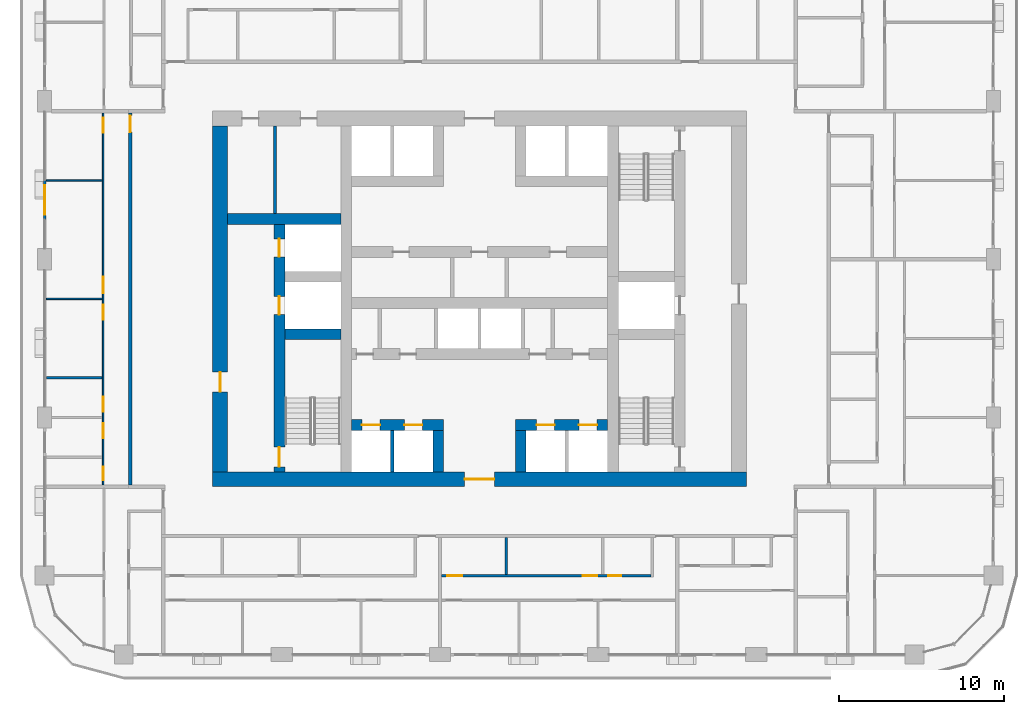
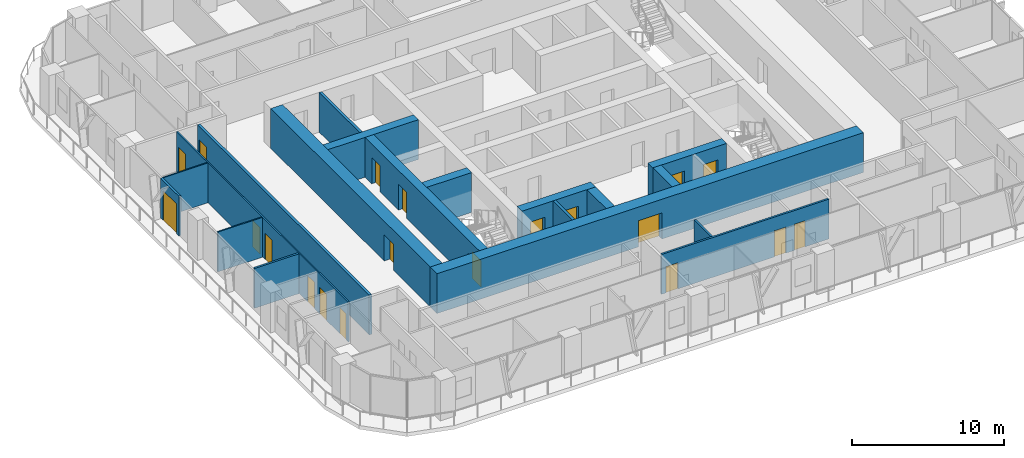
# One storey, part 10 of 21: 20 doors, 19 walls, 20 openings.
"""IFC4 building model written with IfcOpenShell, lengths in metres."""

from ifc_helpers import new_model, si_unit, direction, frame, frame_2d, origin, place, context, subcontext, project, spatial, rectangle, extrude, material, layer, layer_set, type_object, element, fill, save


model = new_model("IFC4")

# Units and contexts
model_context = context("Model", 3, precision=1e-05, world=origin(), true_north=direction((0.0, 1.0)))
body_context = subcontext(model_context, "Body", "Model", "MODEL_VIEW")
ifc_project = project(units=[si_unit("LENGTHUNIT", "METRE"), si_unit("AREAUNIT", "SQUARE_METRE"), si_unit("VOLUMEUNIT", "CUBIC_METRE"), si_unit("PLANEANGLEUNIT", "RADIAN"), si_unit("MASSUNIT", "GRAM", prefix="KILO")], contexts=[model_context])

# Site, building, storey
site_placement = place(None, origin())
site = spatial("IfcSite", under=ifc_project, at=site_placement, CompositionType="ELEMENT")
building_placement = place(site_placement, origin())
building = spatial("IfcBuilding", under=site, at=building_placement, Name="Madar Terraces", CompositionType="ELEMENT")
storey_placement = place(building_placement, frame((0.0, 0.0, 89.199951171875)))
storey = spatial("IfcBuildingStorey", under=building, at=storey_placement, Name="L22", CompositionType="ELEMENT", Elevation=89.199951171875)

# Wall, openings, doors
ifc_material_1 = material(Name="Concrete C80/95", Category="concrete")
ifc_layer_1 = layer(ifc_material_1, 0.64990234375)
ifc_layer_set_1 = layer_set([ifc_layer_1], Name="Concrete C80/95 (CIW2 RC wall 650)")
wall_type_1 = type_object("IfcWallType", Name="CIW2 RC wall 650", PredefinedType="SHEAR", material=ifc_layer_set_1)
wall_1_placement = place(storey_placement, frame((19.050048828125, 15.89990234375, 0.0), z_axis=(0.0, 0.0, 1.0), x_axis=(0.0, 1.0, 0.0)))
wall_1 = element("IfcWall", 1, at=wall_1_placement, inside=storey, type_object=wall_type_1, Name="CORE SHAFT WALL", PredefinedType="SHEAR", context=body_context, shape_type="SweptSolid", body=[
    extrude(rectangle(XDim=15.025146484375, YDim=0.64990234375, at=frame_2d((7.5126953125, 0.0))), origin(), (0.0, 0.0, 1.0), 3.199951171875),
])
opening_1_placement = place(wall_1_placement, frame((9.550048828125, 0.0, 0.0)))
opening_1 = element("IfcOpeningElement", 2, at=opening_1_placement, cuts=wall_1, Name="Opening LD", PredefinedType="OPENING", context=body_context, shape_type="SweptSolid", body=[
    extrude(rectangle(XDim=1.10009765625, YDim=2.10009765625, at=frame_2d((0.550048828125, 1.050048828125))), frame((0.0, 0.3349609375, 0.0), z_axis=(0.0, -1.0, 0.0), x_axis=(1.0, 0.0, 0.0)), (0.0, 0.0, 1.0), 0.669921875),
])
opening_2_placement = place(wall_1_placement, frame((13.050048828125, 0.0, 0.0)))
opening_2 = element("IfcOpeningElement", 3, at=opening_2_placement, cuts=wall_1, Name="Opening LD", PredefinedType="OPENING", context=body_context, shape_type="SweptSolid", body=[
    extrude(rectangle(XDim=1.10009765625, YDim=2.10009765625, at=frame_2d((0.550048828125, 1.050048828125))), frame((0.0, 0.3349609375, 0.0), z_axis=(0.0, -1.0, 0.0), x_axis=(1.0, 0.0, 0.0)), (0.0, 0.0, 1.0), 0.669921875),
])
opening_3_placement = place(wall_1_placement, frame((0.300048828125, 0.0, 0.0)))
opening_3 = element("IfcOpeningElement", 4, at=opening_3_placement, cuts=wall_1, Name="Opening SD1", PredefinedType="OPENING", context=body_context, shape_type="SweptSolid", body=[
    extrude(rectangle(XDim=1.199951171875, YDim=2.10009765625, at=frame_2d((0.60009765625, 1.050048828125))), frame((0.0, 0.3349609375, 0.0), z_axis=(0.0, -1.0, 0.0), x_axis=(1.0, 0.0, 0.0)), (0.0, 0.0, 1.0), 0.669921875),
])
ifc_material_2 = material(Name="Stainless steel panel", Category="steel")
door_type_1 = type_object("IfcDoorType", Name="Lift landing door 1100 x 2100", OperationType="DOUBLE_DOOR_SLIDING", PredefinedType="DOOR", material=ifc_material_2)
door_1_placement = place(opening_1_placement, origin())
door_1 = element("IfcDoor", 5, at=door_1_placement, inside=storey, type_object=door_type_1, Name="LIFT LANDING DOOR", OperationType="DOUBLE_DOOR_SLIDING", OverallHeight=2.10009765625, OverallWidth=1.10009765625, PredefinedType="DOOR", context=body_context, shape_type="SweptSolid", body=[
    extrude(rectangle(XDim=1.10009765625, YDim=2.10009765625, at=frame_2d((0.550048828125, 1.050048828125))), frame((0.0, 0.02490234375, 0.0), z_axis=(0.0, -1.0, 0.0), x_axis=(1.0, 0.0, 0.0)), (0.0, 0.0, 1.0), 0.050048828125),
])
fill(opening_1, door_1)
door_2_placement = place(opening_2_placement, origin())
door_2 = element("IfcDoor", 6, at=door_2_placement, inside=storey, type_object=door_type_1, Name="LIFT LANDING DOOR", OperationType="DOUBLE_DOOR_SLIDING", OverallHeight=2.10009765625, OverallWidth=1.10009765625, PredefinedType="DOOR", context=body_context, shape_type="SweptSolid", body=[
    extrude(rectangle(XDim=1.10009765625, YDim=2.10009765625, at=frame_2d((0.550048828125, 1.050048828125))), frame((0.0, 0.02490234375, 0.0), z_axis=(0.0, -1.0, 0.0), x_axis=(1.0, 0.0, 0.0)), (0.0, 0.0, 1.0), 0.050048828125),
])
fill(opening_2, door_2)
ifc_material_3 = material(Name="Steel door leaf", Category="steel")
door_type_2 = type_object("IfcDoorType", Name="Stair door 1200 x 2100", OperationType="NOTDEFINED", PredefinedType="DOOR", material=ifc_material_3)
door_3_placement = place(opening_3_placement, frame((1.199951171875, 0.0, 0.0), z_axis=(0.0, 0.0, 1.0), x_axis=(-1.0, 0.0, 0.0)))
door_3 = element("IfcDoor", 7, at=door_3_placement, inside=storey, type_object=door_type_2, Name="STAIR DOOR", OperationType="SINGLE_SWING_RIGHT", OverallHeight=2.10009765625, OverallWidth=1.199951171875, PredefinedType="DOOR", context=body_context, shape_type="SweptSolid", body=[
    extrude(rectangle(XDim=1.199951171875, YDim=2.10009765625, at=frame_2d((0.60009765625, 1.050048828125))), frame((0.0, 0.02490234375, 0.0), z_axis=(0.0, -1.0, 0.0), x_axis=(1.0, 0.0, 0.0)), (0.0, 0.0, 1.0), 0.050048828125),
])
fill(opening_3, door_3)

# Walls
wall_2_placement = place(storey_placement, frame((19.375, 24.25, 0.0), z_axis=(0.0, 0.0, 1.0), x_axis=(1.0, 0.0, 0.0)))
element("IfcWall", 8, at=wall_2_placement, inside=storey, type_object=wall_type_1, Name="CORE SHAFT WALL", PredefinedType="SHEAR", context=body_context, shape_type="SweptSolid", body=[
    extrude(rectangle(XDim=3.39990234375, YDim=0.64990234375, at=frame_2d((1.699951171875, 0.0))), origin(), (0.0, 0.0, 1.0), 3.199951171875),
])
wall_3_placement = place(storey_placement, frame((15.89990234375, 31.25, 0.0), z_axis=(0.0, 0.0, 1.0), x_axis=(1.0, 0.0, 0.0)))
element("IfcWall", 9, at=wall_3_placement, inside=storey, type_object=wall_type_1, Name="CORE SHAFT WALL", PredefinedType="SHEAR", context=body_context, shape_type="SweptSolid", body=[
    extrude(rectangle(XDim=6.875, YDim=0.64990234375, at=frame_2d((3.4375, 0.0))), origin(), (0.0, 0.0, 1.0), 3.199951171875),
])

# Wall, openings, doors
wall_4_placement = place(storey_placement, frame((23.425048828125, 18.75, 0.0), z_axis=(0.0, 0.0, 1.0), x_axis=(1.0, 0.0, 0.0)))
wall_4 = element("IfcWall", 10, at=wall_4_placement, inside=storey, type_object=wall_type_1, Name="CORE SHAFT WALL", PredefinedType="SHEAR", context=body_context, shape_type="SweptSolid", body=[
    extrude(rectangle(XDim=5.599853515625, YDim=0.64990234375, at=frame_2d((2.7998046875, 0.0))), origin(), (0.0, 0.0, 1.0), 3.199951171875),
])
opening_4_placement = place(wall_4_placement, frame((0.637451171875, 0.0, 0.0)))
opening_4 = element("IfcOpeningElement", 11, at=opening_4_placement, cuts=wall_4, Name="Opening LD", PredefinedType="OPENING", context=body_context, shape_type="SweptSolid", body=[
    extrude(rectangle(XDim=1.10009765625, YDim=2.10009765625, at=frame_2d((0.550048828125, 1.050048828125))), frame((0.0, 0.3349609375, 0.0), z_axis=(0.0, -1.0, 0.0), x_axis=(1.0, 0.0, 0.0)), (0.0, 0.0, 1.0), 0.669921875),
])
opening_5_placement = place(wall_4_placement, frame((3.21240234375, 0.0, 0.0)))
opening_5 = element("IfcOpeningElement", 12, at=opening_5_placement, cuts=wall_4, Name="Opening LD", PredefinedType="OPENING", context=body_context, shape_type="SweptSolid", body=[
    extrude(rectangle(XDim=1.10009765625, YDim=2.10009765625, at=frame_2d((0.550048828125, 1.050048828125))), frame((0.0, 0.3349609375, 0.0), z_axis=(0.0, -1.0, 0.0), x_axis=(1.0, 0.0, 0.0)), (0.0, 0.0, 1.0), 0.669921875),
])
door_4_placement = place(opening_4_placement, origin())
door_4 = element("IfcDoor", 13, at=door_4_placement, inside=storey, type_object=door_type_1, Name="LIFT LANDING DOOR", OperationType="DOUBLE_DOOR_SLIDING", OverallHeight=2.10009765625, OverallWidth=1.10009765625, PredefinedType="DOOR", context=body_context, shape_type="SweptSolid", body=[
    extrude(rectangle(XDim=1.10009765625, YDim=2.10009765625, at=frame_2d((0.550048828125, 1.050048828125))), frame((0.0, 0.02490234375, 0.0), z_axis=(0.0, -1.0, 0.0), x_axis=(1.0, 0.0, 0.0)), (0.0, 0.0, 1.0), 0.050048828125),
])
fill(opening_4, door_4)
door_5_placement = place(opening_5_placement, origin())
door_5 = element("IfcDoor", 14, at=door_5_placement, inside=storey, type_object=door_type_1, Name="LIFT LANDING DOOR", OperationType="DOUBLE_DOOR_SLIDING", OverallHeight=2.10009765625, OverallWidth=1.10009765625, PredefinedType="DOOR", context=body_context, shape_type="SweptSolid", body=[
    extrude(rectangle(XDim=1.10009765625, YDim=2.10009765625, at=frame_2d((0.550048828125, 1.050048828125))), frame((0.0, 0.02490234375, 0.0), z_axis=(0.0, -1.0, 0.0), x_axis=(1.0, 0.0, 0.0)), (0.0, 0.0, 1.0), 0.050048828125),
])
fill(opening_5, door_5)

wall_5_placement = place(storey_placement, frame((33.375, 18.75, 0.0), z_axis=(0.0, 0.0, 1.0), x_axis=(1.0, 0.0, 0.0)))
wall_5 = element("IfcWall", 15, at=wall_5_placement, inside=storey, type_object=wall_type_1, Name="CORE SHAFT WALL", PredefinedType="SHEAR", context=body_context, shape_type="SweptSolid", body=[
    extrude(rectangle(XDim=5.60009765625, YDim=0.64990234375, at=frame_2d((2.800048828125, 0.0))), origin(), (0.0, 0.0, 1.0), 3.199951171875),
])
opening_6_placement = place(wall_5_placement, frame((1.28759765625, 0.0, 0.0)))
opening_6 = element("IfcOpeningElement", 16, at=opening_6_placement, cuts=wall_5, Name="Opening LD", PredefinedType="OPENING", context=body_context, shape_type="SweptSolid", body=[
    extrude(rectangle(XDim=1.10009765625, YDim=2.10009765625, at=frame_2d((0.550048828125, 1.050048828125))), frame((0.0, 0.3349609375, 0.0), z_axis=(0.0, -1.0, 0.0), x_axis=(1.0, 0.0, 0.0)), (0.0, 0.0, 1.0), 0.669921875),
])
opening_7_placement = place(wall_5_placement, frame((3.862548828125, 0.0, 0.0)))
opening_7 = element("IfcOpeningElement", 17, at=opening_7_placement, cuts=wall_5, Name="Opening LD", PredefinedType="OPENING", context=body_context, shape_type="SweptSolid", body=[
    extrude(rectangle(XDim=1.10009765625, YDim=2.10009765625, at=frame_2d((0.550048828125, 1.050048828125))), frame((0.0, 0.3349609375, 0.0), z_axis=(0.0, -1.0, 0.0), x_axis=(1.0, 0.0, 0.0)), (0.0, 0.0, 1.0), 0.669921875),
])
door_6_placement = place(opening_6_placement, origin())
door_6 = element("IfcDoor", 18, at=door_6_placement, inside=storey, type_object=door_type_1, Name="LIFT LANDING DOOR", OperationType="DOUBLE_DOOR_SLIDING", OverallHeight=2.10009765625, OverallWidth=1.10009765625, PredefinedType="DOOR", context=body_context, shape_type="SweptSolid", body=[
    extrude(rectangle(XDim=1.10009765625, YDim=2.10009765625, at=frame_2d((0.550048828125, 1.050048828125))), frame((0.0, 0.02490234375, 0.0), z_axis=(0.0, -1.0, 0.0), x_axis=(1.0, 0.0, 0.0)), (0.0, 0.0, 1.0), 0.050048828125),
])
fill(opening_6, door_6)
door_7_placement = place(opening_7_placement, origin())
door_7 = element("IfcDoor", 19, at=door_7_placement, inside=storey, type_object=door_type_1, Name="LIFT LANDING DOOR", OperationType="DOUBLE_DOOR_SLIDING", OverallHeight=2.10009765625, OverallWidth=1.10009765625, PredefinedType="DOOR", context=body_context, shape_type="SweptSolid", body=[
    extrude(rectangle(XDim=1.10009765625, YDim=2.10009765625, at=frame_2d((0.550048828125, 1.050048828125))), frame((0.0, 0.02490234375, 0.0), z_axis=(0.0, -1.0, 0.0), x_axis=(1.0, 0.0, 0.0)), (0.0, 0.0, 1.0), 0.050048828125),
])
fill(opening_7, door_7)

# Walls
for number, where, z_axis, x_axis, name in (
    (20, (28.699951171875, 15.89990234375, 0.0), (0.0, 0.0, 1.0), (0.0, 1.0, 0.0), "CORE SHAFT WALL"),
    (21, (33.699951171875, 15.89990234375, 0.0), (0.0, 0.0, 1.0), (0.0, 1.0, 0.0), "CORE SHAFT WALL"),
):
    element("IfcWall", number, at=place(storey_placement, frame(where, z_axis=z_axis, x_axis=x_axis)), inside=storey, type_object=wall_type_1, Name=name, PredefinedType="SHEAR", context=body_context, shape_type="SweptSolid", body=[
        extrude(rectangle(XDim=2.525146484375, YDim=0.64990234375, at=frame_2d((1.2626953125, 0.0))), origin(), (0.0, 0.0, 1.0), 3.199951171875),
    ])

# Wall, opening, door
ifc_material_4 = material(Name="Concrete C80/95", Category="concrete")
ifc_layer_2 = layer(ifc_material_4, 0.89990234375)
ifc_layer_set_2 = layer_set([ifc_layer_2], Name="Concrete C80/95 (CRW2 RC wall 900)")
wall_type_2 = type_object("IfcWallType", Name="CRW2 RC wall 900", PredefinedType="SHEAR", material=ifc_layer_set_2)
wall_6_placement = place(storey_placement, frame((15.0, 15.449951171875, 0.0), z_axis=(0.0, 0.0, 1.0), x_axis=(1.0, 0.0, 0.0)))
wall_6 = element("IfcWall", 22, at=wall_6_placement, inside=storey, type_object=wall_type_2, Name="CORE OUTER WALL", PredefinedType="SHEAR", context=body_context, shape_type="SweptSolid", body=[
    extrude(rectangle(XDim=32.39990234375, YDim=0.89990234375, at=frame_2d((16.199951171875, 0.0))), origin(), (0.0, 0.0, 1.0), 3.199951171875),
])
opening_8_placement = place(wall_6_placement, frame((15.300048828125, 0.0, 0.0)))
opening_8 = element("IfcOpeningElement", 23, at=opening_8_placement, cuts=wall_6, Name="Opening KD1", PredefinedType="OPENING", context=body_context, shape_type="SweptSolid", body=[
    extrude(rectangle(XDim=1.800048828125, YDim=2.10009765625, at=frame_2d((0.89990234375, 1.050048828125))), frame((0.0, 0.4599609375, 0.0), z_axis=(0.0, -1.0, 0.0), x_axis=(1.0, 0.0, 0.0)), (0.0, 0.0, 1.0), 0.919921875),
])
ifc_material_5 = material(Name="Steel door leaf", Category="steel")
door_type_3 = type_object("IfcDoorType", Name="Lobby door pair 1800 x 2100", OperationType="DOUBLE_DOOR_SINGLE_SWING", PredefinedType="DOOR", material=ifc_material_5)
door_8_placement = place(opening_8_placement, frame((1.800048828125, 0.0, 0.0), z_axis=(0.0, 0.0, 1.0), x_axis=(-1.0, 0.0, 0.0)))
door_8 = element("IfcDoor", 24, at=door_8_placement, inside=storey, type_object=door_type_3, Name="LIFT LOBBY DOOR", OperationType="DOUBLE_DOOR_SINGLE_SWING", OverallHeight=2.10009765625, OverallWidth=1.800048828125, PredefinedType="DOOR", context=body_context, shape_type="SweptSolid", body=[
    extrude(rectangle(XDim=1.800048828125, YDim=2.10009765625, at=frame_2d((0.89990234375, 1.050048828125))), frame((0.0, 0.02490234375, 0.0), z_axis=(0.0, -1.0, 0.0), x_axis=(1.0, 0.0, 0.0)), (0.0, 0.0, 1.0), 0.050048828125),
])
fill(opening_8, door_8)

wall_7_placement = place(storey_placement, frame((15.449951171875, 15.89990234375, 0.0), z_axis=(0.0, 0.0, 1.0), x_axis=(0.0, 1.0, 0.0)))
wall_7 = element("IfcWall", 25, at=wall_7_placement, inside=storey, type_object=wall_type_2, Name="CORE OUTER WALL", PredefinedType="SHEAR", context=body_context, shape_type="SweptSolid", body=[
    extrude(rectangle(XDim=21.0, YDim=0.89990234375, at=frame_2d((10.5, 0.0))), origin(), (0.0, 0.0, 1.0), 3.199951171875),
])
opening_9_placement = place(wall_7_placement, frame((4.860107421875, 0.0, 0.0)))
opening_9 = element("IfcOpeningElement", 26, at=opening_9_placement, cuts=wall_7, Name="Opening SD1", PredefinedType="OPENING", context=body_context, shape_type="SweptSolid", body=[
    extrude(rectangle(XDim=1.199951171875, YDim=2.10009765625, at=frame_2d((0.60009765625, 1.050048828125))), frame((0.0, 0.4599609375, 0.0), z_axis=(0.0, -1.0, 0.0), x_axis=(1.0, 0.0, 0.0)), (0.0, 0.0, 1.0), 0.919921875),
])
door_9_placement = place(opening_9_placement, frame((1.199951171875, 0.0, 0.0), z_axis=(0.0, 0.0, 1.0), x_axis=(-1.0, 0.0, 0.0)))
door_9 = element("IfcDoor", 27, at=door_9_placement, inside=storey, type_object=door_type_2, Name="STAIR DOOR", OperationType="SINGLE_SWING_LEFT", OverallHeight=2.10009765625, OverallWidth=1.199951171875, PredefinedType="DOOR", context=body_context, shape_type="SweptSolid", body=[
    extrude(rectangle(XDim=1.199951171875, YDim=2.10009765625, at=frame_2d((0.60009765625, 1.050048828125))), frame((0.0, 0.02490234375, 0.0), z_axis=(0.0, -1.0, 0.0), x_axis=(1.0, 0.0, 0.0)), (0.0, 0.0, 1.0), 0.050048828125),
])
fill(opening_9, door_9)

# Walls
ifc_material_6 = material(Name="Masonry blockwork", Category="masonry")
ifc_layer_3 = layer(ifc_material_6, 0.199951171875)
ifc_layer_set_3 = layer_set([ifc_layer_3], Name="Core partition 200 blockwork")
wall_type_3 = type_object("IfcWallType", Name="Core partition 200 blockwork", PredefinedType="PARTITIONING", material=ifc_layer_set_3)
wall_8_placement = place(storey_placement, frame((18.78759765625, 31.574951171875, 0.0), z_axis=(0.0, 0.0, 1.0), x_axis=(0.0, 1.0, 0.0)))
element("IfcWall", 28, at=wall_8_placement, inside=storey, type_object=wall_type_3, Name="SERVICE ROOM PARTITION", PredefinedType="PARTITIONING", context=body_context, shape_type="SweptSolid", body=[
    extrude(rectangle(XDim=5.324951171875, YDim=0.199951171875, at=frame_2d((2.66259765625, 0.0))), origin(), (0.0, 0.0, 1.0), 3.199951171875),
])
ifc_material_7 = material(Name="Concrete C40/50", Category="concrete")
ifc_layer_4 = layer(ifc_material_7, 0.199951171875)
ifc_layer_set_4 = layer_set([ifc_layer_4], Name="Core shaft dividing wall 200 C40/50")
wall_type_4 = type_object("IfcWallType", Name="Core shaft dividing wall 200 C40/50", PredefinedType="SOLIDWALL", material=ifc_layer_set_4)
wall_9_placement = place(storey_placement, frame((25.89990234375, 15.89990234375, 0.0), z_axis=(0.0, 0.0, 1.0), x_axis=(0.0, 1.0, 0.0)))
element("IfcWall", 29, at=wall_9_placement, inside=storey, type_object=wall_type_4, Name="SHAFT DIVIDING WALL", PredefinedType="SOLIDWALL", context=body_context, shape_type="SweptSolid", body=[
    extrude(rectangle(XDim=2.525146484375, YDim=0.199951171875, at=frame_2d((1.2626953125, 0.0))), origin(), (0.0, 0.0, 1.0), 3.199951171875),
])

# Wall, opening, door
ifc_material_8 = material(Name="Aluminium composite panel, black, over insulated backing", Category="aluminium")
ifc_layer_5 = layer(ifc_material_8, 0.14990234375)
ifc_layer_set_5 = layer_set([ifc_layer_5], Name="Facade bay panel 150")
wall_type_5 = type_object("IfcWallType", Name="Facade bay panel 150", PredefinedType="SOLIDWALL", material=ifc_layer_set_5)
wall_10_placement = place(storey_placement, frame((4.800048828125, 33.60009765625, 0.0), z_axis=(0.0, 0.0, 1.0), x_axis=(0.0, -1.0, 0.0)))
wall_10 = element("IfcWall", 30, at=wall_10_placement, inside=storey, type_object=wall_type_5, Name="Facade bay panel", PredefinedType="SOLIDWALL", context=body_context, shape_type="SweptSolid", body=[
    extrude(rectangle(XDim=2.400146484375, YDim=0.14990234375, at=frame_2d((1.2001953125, 0.0))), origin(), (0.0, 0.0, 1.0), 3.199951171875),
])
opening_10_placement = place(wall_10_placement, frame((0.300048828125, 0.0, 0.0)))
opening_10 = element("IfcOpeningElement", 31, at=opening_10_placement, cuts=wall_10, Name="Opening ED1", PredefinedType="OPENING", context=body_context, shape_type="SweptSolid", body=[
    extrude(rectangle(XDim=1.800048828125, YDim=2.39990234375, at=frame_2d((0.89990234375, 1.199951171875))), frame((0.0, 0.0849609375, 0.0), z_axis=(0.0, -1.0, 0.0), x_axis=(1.0, 0.0, 0.0)), (0.0, 0.0, 1.0), 0.169921875),
])
ifc_material_9 = material(Name="Glass, clear, with black aluminium frame", Category="aluminium")
door_type_4 = type_object("IfcDoorType", Name="Balcony and terrace sliding door 1800 x 2400", OperationType="SLIDING_TO_LEFT", PredefinedType="DOOR", material=ifc_material_9)
door_10_placement = place(opening_10_placement, origin())
door_10 = element("IfcDoor", 32, at=door_10_placement, inside=storey, type_object=door_type_4, Name="Balcony door", OperationType="SLIDING_TO_LEFT", OverallHeight=2.39990234375, OverallWidth=1.800048828125, PredefinedType="DOOR", context=body_context, shape_type="SweptSolid", body=[
    extrude(rectangle(XDim=1.800048828125, YDim=2.39990234375, at=frame_2d((0.89990234375, 1.199951171875))), frame((0.0, 0.02490234375, 0.0), z_axis=(0.0, -1.0, 0.0), x_axis=(1.0, 0.0, 0.0)), (0.0, 0.0, 1.0), 0.050048828125),
])
fill(opening_10, door_10)

# Walls
ifc_material_10 = material(Name="Gypsum board on steel studs", Category="steel")
ifc_layer_6 = layer(ifc_material_10, 0.10009765625)
ifc_layer_set_6 = layer_set([ifc_layer_6], Name="Flat partition 100")
wall_type_6 = type_object("IfcWallType", Name="Flat partition 100", PredefinedType="PARTITIONING", material=ifc_layer_set_6)
for number, where, z_axis, x_axis, name in (
    (33, (8.300048828125, 33.60009765625, 0.0), (0.0, 0.0, 1.0), (-1.0, 0.0, 0.0), "Flat partition 100"),
    (34, (8.300048828125, 26.39990234375, 0.0), (0.0, 0.0, 1.0), (-1.0, 0.0, 0.0), "Flat partition 100"),
):
    element("IfcWall", number, at=place(storey_placement, frame(where, z_axis=z_axis, x_axis=x_axis)), inside=storey, type_object=wall_type_6, Name=name, PredefinedType="PARTITIONING", context=body_context, shape_type="SweptSolid", body=[
        extrude(rectangle(XDim=3.400146484375, YDim=0.10009765625, at=frame_2d((1.7001953125, 0.0))), origin(), (0.0, 0.0, 1.0), 3.199951171875),
    ])

# Wall, openings, doors
wall_11_placement = place(storey_placement, frame((8.35009765625, 15.10009765625, 0.0), z_axis=(0.0, 0.0, 1.0), x_axis=(0.0, 1.0, 0.0)))
wall_11 = element("IfcWall", 35, at=wall_11_placement, inside=storey, type_object=wall_type_6, Name="Flat partition 100", PredefinedType="PARTITIONING", context=body_context, shape_type="SweptSolid", body=[
    extrude(rectangle(XDim=22.599853515625, YDim=0.10009765625, at=frame_2d((11.2998046875, 0.0))), origin(), (0.0, 0.0, 1.0), 3.199951171875),
])
opening_11_placement = place(wall_11_placement, frame((21.39990234375, 0.0, 0.0)))
opening_11 = element("IfcOpeningElement", 36, at=opening_11_placement, cuts=wall_11, Name="Opening D2", PredefinedType="OPENING", context=body_context, shape_type="SweptSolid", body=[
    extrude(rectangle(XDim=0.89990234375, YDim=2.10009765625, at=frame_2d((0.449951171875, 1.050048828125))), frame((0.0, 0.06005859375, 0.0), z_axis=(0.0, -1.0, 0.0), x_axis=(1.0, 0.0, 0.0)), (0.0, 0.0, 1.0), 0.1201171875),
])
opening_12_placement = place(wall_11_placement, frame((11.64990234375, 0.0, 0.0)))
opening_12 = element("IfcOpeningElement", 37, at=opening_12_placement, cuts=wall_11, Name="Opening D3", PredefinedType="OPENING", context=body_context, shape_type="SweptSolid", body=[
    extrude(rectangle(XDim=1.0, YDim=2.10009765625, at=frame_2d((0.5, 1.050048828125))), frame((0.0, 0.06005859375, 0.0), z_axis=(0.0, -1.0, 0.0), x_axis=(1.0, 0.0, 0.0)), (0.0, 0.0, 1.0), 0.1201171875),
])
opening_13_placement = place(wall_11_placement, frame((10.050048828125, 0.0, 0.0)))
opening_13 = element("IfcOpeningElement", 38, at=opening_13_placement, cuts=wall_11, Name="Opening D2", PredefinedType="OPENING", context=body_context, shape_type="SweptSolid", body=[
    extrude(rectangle(XDim=0.89990234375, YDim=2.10009765625, at=frame_2d((0.449951171875, 1.050048828125))), frame((0.0, 0.06005859375, 0.0), z_axis=(0.0, -1.0, 0.0), x_axis=(1.0, 0.0, 0.0)), (0.0, 0.0, 1.0), 0.1201171875),
])
opening_14_placement = place(wall_11_placement, frame((4.449951171875, 0.0, 0.0)))
opening_14 = element("IfcOpeningElement", 39, at=opening_14_placement, cuts=wall_11, Name="Opening D5", PredefinedType="OPENING", context=body_context, shape_type="SweptSolid", body=[
    extrude(rectangle(XDim=0.89990234375, YDim=2.10009765625, at=frame_2d((0.449951171875, 1.050048828125))), frame((0.0, 0.06005859375, 0.0), z_axis=(0.0, -1.0, 0.0), x_axis=(1.0, 0.0, 0.0)), (0.0, 0.0, 1.0), 0.1201171875),
])
opening_15_placement = place(wall_11_placement, frame((2.85009765625, 0.0, 0.0)))
opening_15 = element("IfcOpeningElement", 40, at=opening_15_placement, cuts=wall_11, Name="Opening D2", PredefinedType="OPENING", context=body_context, shape_type="SweptSolid", body=[
    extrude(rectangle(XDim=0.89990234375, YDim=2.10009765625, at=frame_2d((0.449951171875, 1.050048828125))), frame((0.0, 0.06005859375, 0.0), z_axis=(0.0, -1.0, 0.0), x_axis=(1.0, 0.0, 0.0)), (0.0, 0.0, 1.0), 0.1201171875),
])
opening_16_placement = place(wall_11_placement, frame((0.300048828125, 0.0, 0.0)))
opening_16 = element("IfcOpeningElement", 41, at=opening_16_placement, cuts=wall_11, Name="Opening D4", PredefinedType="OPENING", context=body_context, shape_type="SweptSolid", body=[
    extrude(rectangle(XDim=0.800048828125, YDim=2.10009765625, at=frame_2d((0.39990234375, 1.050048828125))), frame((0.0, 0.06005859375, 0.0), z_axis=(0.0, -1.0, 0.0), x_axis=(1.0, 0.0, 0.0)), (0.0, 0.0, 1.0), 0.1201171875),
])
ifc_material_11 = material(Name="Timber door leaf", Category="wood")
door_type_5 = type_object("IfcDoorType", Name="Flat accessible bathroom door 900", OperationType="NOTDEFINED", PredefinedType="DOOR", material=ifc_material_11)
door_11_placement = place(opening_14_placement, origin())
door_11 = element("IfcDoor", 42, at=door_11_placement, inside=storey, type_object=door_type_5, Name="Flat accessible bathroom door 900", OperationType="SINGLE_SWING_LEFT", OverallHeight=2.10009765625, OverallWidth=0.89990234375, PredefinedType="DOOR", context=body_context, shape_type="SweptSolid", body=[
    extrude(rectangle(XDim=0.89990234375, YDim=2.10009765625, at=frame_2d((0.449951171875, 1.050048828125))), frame((0.0, 0.02490234375, 0.0), z_axis=(0.0, -1.0, 0.0), x_axis=(1.0, 0.0, 0.0)), (0.0, 0.0, 1.0), 0.050048828125),
])
fill(opening_14, door_11)
ifc_material_12 = material(Name="Timber door leaf", Category="wood")
door_type_6 = type_object("IfcDoorType", Name="Flat bathroom door 800", OperationType="NOTDEFINED", PredefinedType="DOOR", material=ifc_material_12)
door_12_placement = place(opening_16_placement, origin())
door_12 = element("IfcDoor", 43, at=door_12_placement, inside=storey, type_object=door_type_6, Name="Flat bathroom door 800", OperationType="SINGLE_SWING_LEFT", OverallHeight=2.10009765625, OverallWidth=0.800048828125, PredefinedType="DOOR", context=body_context, shape_type="SweptSolid", body=[
    extrude(rectangle(XDim=0.800048828125, YDim=2.10009765625, at=frame_2d((0.39990234375, 1.050048828125))), frame((0.0, 0.02490234375, 0.0), z_axis=(0.0, -1.0, 0.0), x_axis=(1.0, 0.0, 0.0)), (0.0, 0.0, 1.0), 0.050048828125),
])
fill(opening_16, door_12)
ifc_material_13 = material(Name="Timber door leaf", Category="wood")
door_type_7 = type_object("IfcDoorType", Name="Flat living room door 1000", OperationType="NOTDEFINED", PredefinedType="DOOR", material=ifc_material_13)
door_13_placement = place(opening_12_placement, origin())
door_13 = element("IfcDoor", 44, at=door_13_placement, inside=storey, type_object=door_type_7, Name="Flat living room door 1000", OperationType="SINGLE_SWING_LEFT", OverallHeight=2.10009765625, OverallWidth=1.0, PredefinedType="DOOR", context=body_context, shape_type="SweptSolid", body=[
    extrude(rectangle(XDim=1.0, YDim=2.10009765625, at=frame_2d((0.5, 1.050048828125))), frame((0.0, 0.02490234375, 0.0), z_axis=(0.0, -1.0, 0.0), x_axis=(1.0, 0.0, 0.0)), (0.0, 0.0, 1.0), 0.050048828125),
])
fill(opening_12, door_13)
ifc_material_14 = material(Name="Timber door leaf", Category="wood")
door_type_8 = type_object("IfcDoorType", Name="Flat room door 900", OperationType="NOTDEFINED", PredefinedType="DOOR", material=ifc_material_14)
door_14_placement = place(opening_11_placement, origin())
door_14 = element("IfcDoor", 45, at=door_14_placement, inside=storey, type_object=door_type_8, Name="Flat room door 900", OperationType="SINGLE_SWING_RIGHT", OverallHeight=2.10009765625, OverallWidth=0.89990234375, PredefinedType="DOOR", context=body_context, shape_type="SweptSolid", body=[
    extrude(rectangle(XDim=0.89990234375, YDim=2.10009765625, at=frame_2d((0.449951171875, 1.050048828125))), frame((0.0, 0.02490234375, 0.0), z_axis=(0.0, -1.0, 0.0), x_axis=(1.0, 0.0, 0.0)), (0.0, 0.0, 1.0), 0.050048828125),
])
fill(opening_11, door_14)
door_15_placement = place(opening_13_placement, origin())
door_15 = element("IfcDoor", 46, at=door_15_placement, inside=storey, type_object=door_type_8, Name="Flat room door 900", OperationType="SINGLE_SWING_RIGHT", OverallHeight=2.10009765625, OverallWidth=0.89990234375, PredefinedType="DOOR", context=body_context, shape_type="SweptSolid", body=[
    extrude(rectangle(XDim=0.89990234375, YDim=2.10009765625, at=frame_2d((0.449951171875, 1.050048828125))), frame((0.0, 0.02490234375, 0.0), z_axis=(0.0, -1.0, 0.0), x_axis=(1.0, 0.0, 0.0)), (0.0, 0.0, 1.0), 0.050048828125),
])
fill(opening_13, door_15)
door_16_placement = place(opening_15_placement, origin())
door_16 = element("IfcDoor", 47, at=door_16_placement, inside=storey, type_object=door_type_8, Name="Flat room door 900", OperationType="SINGLE_SWING_RIGHT", OverallHeight=2.10009765625, OverallWidth=0.89990234375, PredefinedType="DOOR", context=body_context, shape_type="SweptSolid", body=[
    extrude(rectangle(XDim=0.89990234375, YDim=2.10009765625, at=frame_2d((0.449951171875, 1.050048828125))), frame((0.0, 0.02490234375, 0.0), z_axis=(0.0, -1.0, 0.0), x_axis=(1.0, 0.0, 0.0)), (0.0, 0.0, 1.0), 0.050048828125),
])
fill(opening_15, door_16)

# Wall, opening, door
ifc_material_15 = material(Name="Lightweight blockwork", Category="masonry")
ifc_layer_7 = layer(ifc_material_15, 0.199951171875)
ifc_layer_set_7 = layer_set([ifc_layer_7], Name="Flat party and entrance wall 200")
wall_type_7 = type_object("IfcWallType", Name="Flat party and entrance wall 200", PredefinedType="PARTITIONING", material=ifc_layer_set_7)
wall_12_placement = place(storey_placement, frame((10.0, 15.10009765625, 0.0), z_axis=(0.0, 0.0, 1.0), x_axis=(0.0, 1.0, 0.0)))
wall_12 = element("IfcWall", 48, at=wall_12_placement, inside=storey, type_object=wall_type_7, Name="Flat party and entrance wall 200", PredefinedType="PARTITIONING", context=body_context, shape_type="SweptSolid", body=[
    extrude(rectangle(XDim=22.599853515625, YDim=0.199951171875, at=frame_2d((11.2998046875, 0.0))), origin(), (0.0, 0.0, 1.0), 3.199951171875),
])
opening_17_placement = place(wall_12_placement, frame((21.425048828125, 0.0, 0.0)))
opening_17 = element("IfcOpeningElement", 49, at=opening_17_placement, cuts=wall_12, Name="Opening D1", PredefinedType="OPENING", context=body_context, shape_type="SweptSolid", body=[
    extrude(rectangle(XDim=1.0, YDim=2.10009765625, at=frame_2d((0.5, 1.050048828125))), frame((0.0, 0.10986328125, 0.0), z_axis=(0.0, -1.0, 0.0), x_axis=(1.0, 0.0, 0.0)), (0.0, 0.0, 1.0), 0.219970703125),
])
ifc_material_16 = material(Name="Timber fire door leaf", Category="wood")
door_type_9 = type_object("IfcDoorType", Name="Flat entrance door 1000 FD30S", OperationType="NOTDEFINED", PredefinedType="DOOR", material=ifc_material_16)
door_17_placement = place(opening_17_placement, origin())
door_17 = element("IfcDoor", 50, at=door_17_placement, inside=storey, type_object=door_type_9, Name="Flat entrance door 1000 FD30S", OperationType="SINGLE_SWING_RIGHT", OverallHeight=2.10009765625, OverallWidth=1.0, PredefinedType="DOOR", context=body_context, shape_type="SweptSolid", body=[
    extrude(rectangle(XDim=1.0, YDim=2.10009765625, at=frame_2d((0.5, 1.050048828125))), frame((0.0, 0.02490234375, 0.0), z_axis=(0.0, -1.0, 0.0), x_axis=(1.0, 0.0, 0.0)), (0.0, 0.0, 1.0), 0.050048828125),
])
fill(opening_17, door_17)

# Wall
ifc_material_17 = material(Name="Lightweight blockwork", Category="masonry")
ifc_layer_8 = layer(ifc_material_17, 0.14990234375)
ifc_layer_set_8 = layer_set([ifc_layer_8], Name="Flat wet-room partition 150")
wall_type_8 = type_object("IfcWallType", Name="Flat wet-room partition 150", PredefinedType="PARTITIONING", material=ifc_layer_set_8)
wall_13_placement = place(storey_placement, frame((32.8154296875, 11.89990234375, 0.0), z_axis=(0.0, 0.0, 1.0), x_axis=(0.0, -1.0, 0.0)))
element("IfcWall", 51, at=wall_13_placement, inside=storey, type_object=wall_type_8, Name="Flat wet-room partition 150", PredefinedType="PARTITIONING", context=body_context, shape_type="SweptSolid", body=[
    extrude(rectangle(XDim=2.224853515625, YDim=0.14990234375, at=frame_2d((1.1123046875, 0.0))), origin(), (0.0, 0.0, 1.0), 3.199951171875),
])

# Wall, openings, doors
wall_14_placement = place(storey_placement, frame((28.89990234375, 9.60009765625, 0.0), z_axis=(0.0, 0.0, 1.0), x_axis=(1.0, 0.0, 0.0)))
wall_14 = element("IfcWall", 52, at=wall_14_placement, inside=storey, type_object=wall_type_8, Name="Flat wet-room partition 150", PredefinedType="PARTITIONING", context=body_context, shape_type="SweptSolid", body=[
    extrude(rectangle(XDim=12.72509765625, YDim=0.14990234375, at=frame_2d((6.362548828125, 0.0))), origin(), (0.0, 0.0, 1.0), 3.199951171875),
])
opening_18_placement = place(wall_14_placement, frame((10.113525390625, 0.0, 0.0)))
opening_18 = element("IfcOpeningElement", 53, at=opening_18_placement, cuts=wall_14, Name="Opening D4", PredefinedType="OPENING", context=body_context, shape_type="SweptSolid", body=[
    extrude(rectangle(XDim=0.800048828125, YDim=2.10009765625, at=frame_2d((0.39990234375, 1.050048828125))), frame((0.0, 0.0849609375, 0.0), z_axis=(0.0, -1.0, 0.0), x_axis=(1.0, 0.0, 0.0)), (0.0, 0.0, 1.0), 0.169921875),
])
opening_19_placement = place(wall_14_placement, frame((8.5634765625, 0.0, 0.0)))
opening_19 = element("IfcOpeningElement", 54, at=opening_19_placement, cuts=wall_14, Name="Opening D2", PredefinedType="OPENING", context=body_context, shape_type="SweptSolid", body=[
    extrude(rectangle(XDim=0.89990234375, YDim=2.10009765625, at=frame_2d((0.449951171875, 1.050048828125))), frame((0.0, 0.0849609375, 0.0), z_axis=(0.0, -1.0, 0.0), x_axis=(1.0, 0.0, 0.0)), (0.0, 0.0, 1.0), 0.169921875),
])
opening_20_placement = place(wall_14_placement, frame((0.35009765625, 0.0, 0.0)))
opening_20 = element("IfcOpeningElement", 55, at=opening_20_placement, cuts=wall_14, Name="Opening D5", PredefinedType="OPENING", context=body_context, shape_type="SweptSolid", body=[
    extrude(rectangle(XDim=0.89990234375, YDim=2.10009765625, at=frame_2d((0.449951171875, 1.050048828125))), frame((0.0, 0.0849609375, 0.0), z_axis=(0.0, -1.0, 0.0), x_axis=(1.0, 0.0, 0.0)), (0.0, 0.0, 1.0), 0.169921875),
])
door_18_placement = place(opening_20_placement, origin())
door_18 = element("IfcDoor", 56, at=door_18_placement, inside=storey, type_object=door_type_5, Name="Flat accessible bathroom door 900", OperationType="SINGLE_SWING_LEFT", OverallHeight=2.10009765625, OverallWidth=0.89990234375, PredefinedType="DOOR", context=body_context, shape_type="SweptSolid", body=[
    extrude(rectangle(XDim=0.89990234375, YDim=2.10009765625, at=frame_2d((0.449951171875, 1.050048828125))), frame((0.0, 0.02490234375, 0.0), z_axis=(0.0, -1.0, 0.0), x_axis=(1.0, 0.0, 0.0)), (0.0, 0.0, 1.0), 0.050048828125),
])
fill(opening_20, door_18)
door_19_placement = place(opening_18_placement, origin())
door_19 = element("IfcDoor", 57, at=door_19_placement, inside=storey, type_object=door_type_6, Name="Flat bathroom door 800", OperationType="SINGLE_SWING_LEFT", OverallHeight=2.10009765625, OverallWidth=0.800048828125, PredefinedType="DOOR", context=body_context, shape_type="SweptSolid", body=[
    extrude(rectangle(XDim=0.800048828125, YDim=2.10009765625, at=frame_2d((0.39990234375, 1.050048828125))), frame((0.0, 0.02490234375, 0.0), z_axis=(0.0, -1.0, 0.0), x_axis=(1.0, 0.0, 0.0)), (0.0, 0.0, 1.0), 0.050048828125),
])
fill(opening_18, door_19)
door_20_placement = place(opening_19_placement, origin())
door_20 = element("IfcDoor", 58, at=door_20_placement, inside=storey, type_object=door_type_8, Name="Flat room door 900", OperationType="SINGLE_SWING_RIGHT", OverallHeight=2.10009765625, OverallWidth=0.89990234375, PredefinedType="DOOR", context=body_context, shape_type="SweptSolid", body=[
    extrude(rectangle(XDim=0.89990234375, YDim=2.10009765625, at=frame_2d((0.449951171875, 1.050048828125))), frame((0.0, 0.02490234375, 0.0), z_axis=(0.0, -1.0, 0.0), x_axis=(1.0, 0.0, 0.0)), (0.0, 0.0, 1.0), 0.050048828125),
])
fill(opening_19, door_20)

# Wall
wall_15_placement = place(storey_placement, frame((8.27490234375, 21.60009765625, 0.0), z_axis=(0.0, 0.0, 1.0), x_axis=(-1.0, 0.0, 0.0)))
element("IfcWall", 59, at=wall_15_placement, inside=storey, type_object=wall_type_8, Name="Flat wet-room partition 150", PredefinedType="PARTITIONING", context=body_context, shape_type="SweptSolid", body=[
    extrude(rectangle(XDim=3.375, YDim=0.14990234375, at=frame_2d((1.6875, 0.0))), origin(), (0.0, 0.0, 1.0), 3.199951171875),
])

save(model, "model.ifc")
